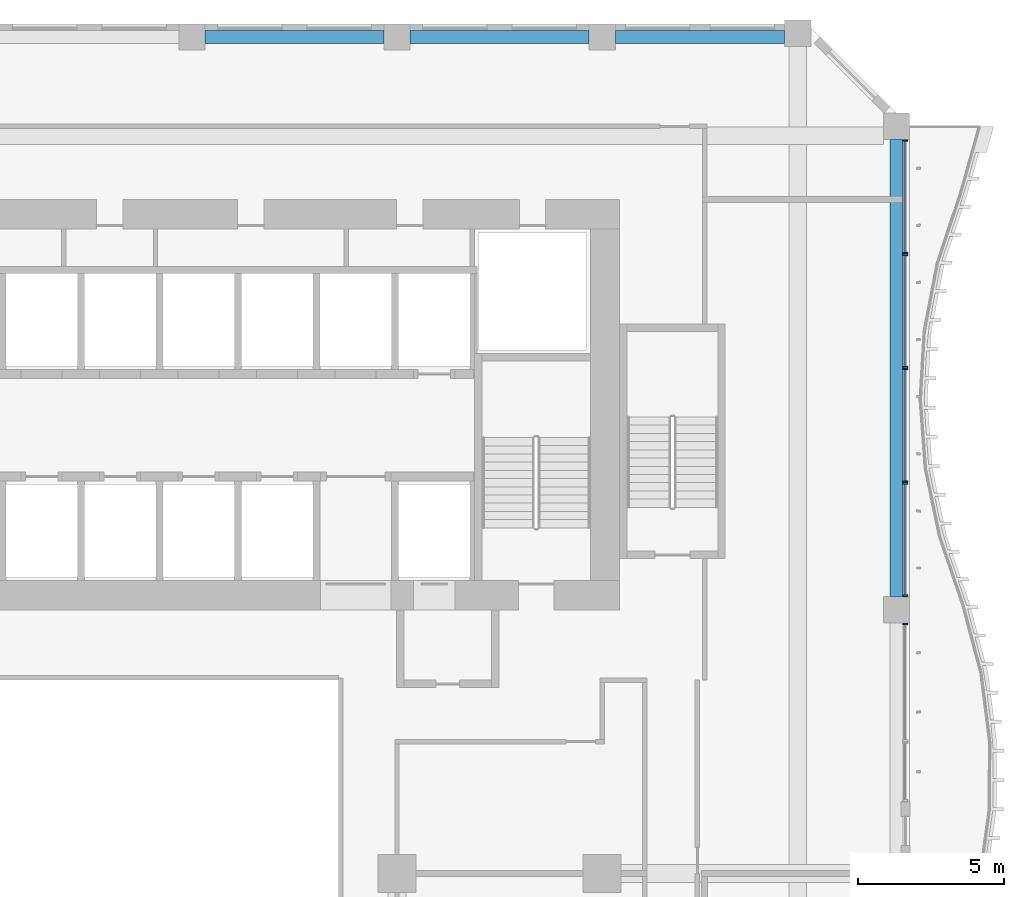
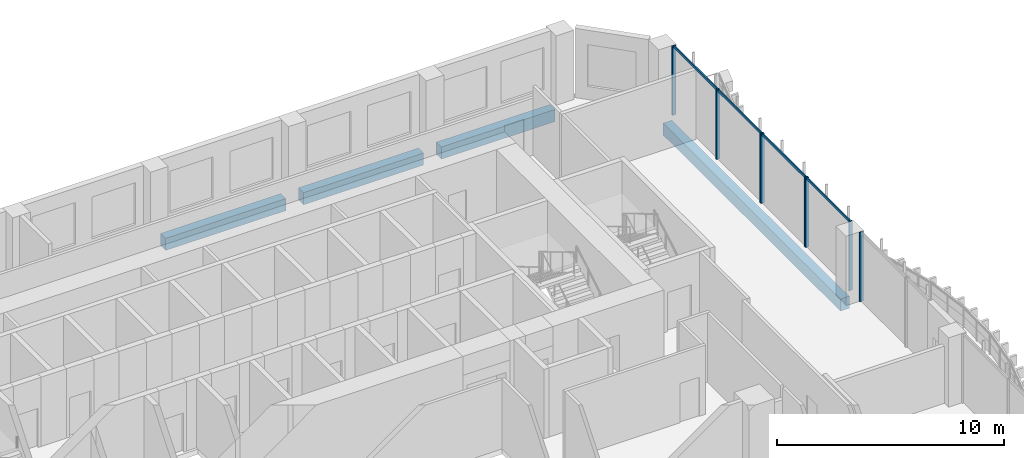
# One storey, part 10 of 27: 13 members, 4 beams, 5 elements without a shape of their own.
"""IFC4 building model written with IfcOpenShell, lengths in metres."""

from ifc_helpers import new_model, si_unit, direction, frame, origin, origin_2d, place, context, subcontext, project, spatial, rectangle, extrude, source, transform, mapped, material, material_profile, profile_set, type_object, element, aggregate, save


model = new_model("IFC4")

# Units and contexts
model_context = context("Model", 3, precision=1e-05, world=origin(), true_north=direction((0.0, 1.0)))
body_context = subcontext(model_context, "Body", "Model", "MODEL_VIEW")
ifc_project = project(units=[si_unit("LENGTHUNIT", "METRE"), si_unit("AREAUNIT", "SQUARE_METRE"), si_unit("VOLUMEUNIT", "CUBIC_METRE"), si_unit("PLANEANGLEUNIT", "RADIAN"), si_unit("MASSUNIT", "GRAM", prefix="KILO")], contexts=[model_context])

# Site, building, storey
site_placement = place(None, origin())
site = spatial("IfcSite", under=ifc_project, at=site_placement, CompositionType="ELEMENT")
building_placement = place(site_placement, origin())
building = spatial("IfcBuilding", under=site, at=building_placement, Name="Kilnfold Tower and Market Hall", CompositionType="ELEMENT")
storey_placement = place(building_placement, frame((0.0, 0.0, 51.0)))
storey = spatial("IfcBuildingStorey", under=building, at=storey_placement, Name="L11", CompositionType="ELEMENT", Elevation=51.0)

# Beams
ifc_material_1 = material(Name="Concrete C45", Category="concrete")
ifc_material_profile_1 = material_profile(ifc_material_1, rectangle(XDim=0.449951171875, YDim=0.64990234375, at=origin_2d()), Name="RC 450x650")
ifc_profile_set_1 = profile_set([ifc_material_profile_1], Name="Concrete C45")
beam_type = type_object("IfcBeamType", Name="EDGE BEAM 450X650 C45", PredefinedType="BEAM", material=ifc_profile_set_1)
shared_shape_1 = source(origin(), body_context, "Body", "SweptSolid", [
    extrude(rectangle(XDim=0.449951171875, YDim=0.64990234375, at=origin_2d()), origin(), (0.0, 0.0, 1.0), 6.10009765625),
])
for number, where, z_axis, x_axis, name in (
    (1, (3.949951171875, 27.550048828125, -0.60498046875), (1.0, 0.0, 0.0), (0.0, 1.0, 0.0), "Beam EB650-B1.27"),
    (2, (10.949951171875, 27.550048828125, -0.60498046875), (1.0, 0.0, 0.0), (0.0, 1.0, 0.0), "Beam EB650-B1.28"),
):
    element("IfcBeam", number, at=place(storey_placement, frame(where, z_axis=z_axis, x_axis=x_axis)), inside=storey, type_object=beam_type, Name=name, PredefinedType="BEAM", context=body_context, shape_type="MappedRepresentation", body=[
        mapped(shared_shape_1, transform((0.0, 0.0, 0.0))),
    ])
shared_shape_2 = source(origin(), body_context, "Body", "SweptSolid", [
    extrude(rectangle(XDim=0.449951171875, YDim=0.64990234375, at=origin_2d()), origin(), (0.0, 0.0, 1.0), 5.78173828125),
])
beam_1_placement = place(storey_placement, frame((17.949951171875, 27.550048828125, -0.60498046875), z_axis=(1.0, 0.0, 0.0), x_axis=(0.0, 1.0, 0.0)))
element("IfcBeam", 3, at=beam_1_placement, inside=storey, type_object=beam_type, Name="Beam EB650-B1.29", PredefinedType="BEAM", context=body_context, shape_type="MappedRepresentation", body=[
    mapped(shared_shape_2, transform((0.0, 0.0, 0.0))),
])
shared_shape_3 = source(origin(), body_context, "Body", "SweptSolid", [
    extrude(rectangle(XDim=0.449951171875, YDim=0.64990234375, at=origin_2d()), origin(), (0.0, 0.0, 1.0), 15.60009765625),
])
beam_2_placement = place(storey_placement, frame((27.550048828125, 8.449951171875, -0.60498046875), z_axis=(0.0, 1.0, 0.0), x_axis=(-1.0, 0.0, 0.0)))
element("IfcBeam", 4, at=beam_2_placement, inside=storey, type_object=beam_type, Name="Beam EB650-B1.59", PredefinedType="BEAM", context=body_context, shape_type="MappedRepresentation", body=[
    mapped(shared_shape_3, transform((0.0, 0.0, 0.0))),
])

# Curtain wall, member
ifc_material_2 = material(Name="Aluminium and double glazing", Category="aluminium")
curtain_wall_type = type_object("IfcCurtainWallType", Name="CW OF1 VALLEY GLAZING", PredefinedType="NOTDEFINED", material=ifc_material_2)
curtain_wall_1_placement = place(storey_placement, origin())
curtain_wall_1 = element("IfcCurtainWall", 5, at=curtain_wall_1_placement, inside=storey, type_object=curtain_wall_type, Name="Curtain wall CW1 L11 E", PredefinedType="NOTDEFINED")
ifc_material_3 = material(Name="Aluminium", Category="aluminium")
ifc_material_profile_2 = material_profile(ifc_material_3, rectangle(XDim=0.06005859375, YDim=0.179931640625, at=origin_2d()), Name="MULLION 60x180")
ifc_profile_set_2 = profile_set([ifc_material_profile_2], Name="Aluminium")
member_type_1 = type_object("IfcMemberType", Name="MULLION 60X180", PredefinedType="MULLION", material=ifc_profile_set_2)
shared_shape_4 = source(origin(), body_context, "Body", "SweptSolid", [
    extrude(rectangle(XDim=0.06005859375, YDim=0.179931640625, at=origin_2d()), origin(), (0.0, 0.0, 1.0), 3.719970703125),
])
member_1_placement = place(storey_placement, frame((27.85009765625, 7.52001953125, 0.0), z_axis=(0.0, 0.0, 1.0), x_axis=(0.0, 1.0, 0.0)))
member_1 = element("IfcMember", 6, at=member_1_placement, type_object=member_type_1, Name="CW1 mullion 2", PredefinedType="MULLION", context=body_context, shape_type="MappedRepresentation", body=[
    mapped(shared_shape_4, transform((0.0, 0.0, 0.0))),
])
aggregate(curtain_wall_1, [member_1])

# Curtain wall, members
curtain_wall_2_placement = place(storey_placement, origin())
curtain_wall_2 = element("IfcCurtainWall", 7, at=curtain_wall_2_placement, inside=storey, type_object=curtain_wall_type, Name="Curtain wall CW1 L11 E", PredefinedType="NOTDEFINED")
member_2_placement = place(storey_placement, frame((27.85009765625, 8.47998046875, 0.0), z_axis=(0.0, 0.0, 1.0), x_axis=(0.0, 1.0, 0.0)))
member_2 = element("IfcMember", 8, at=member_2_placement, type_object=member_type_1, Name="CW1 mullion 1", PredefinedType="MULLION", context=body_context, shape_type="MappedRepresentation", body=[
    mapped(shared_shape_4, transform((0.0, 0.0, 0.0))),
])
member_3_placement = place(storey_placement, frame((27.85009765625, 12.320068359375, 0.0), z_axis=(0.0, 0.0, 1.0), x_axis=(0.0, 1.0, 0.0)))
member_3 = element("IfcMember", 9, at=member_3_placement, type_object=member_type_1, Name="CW1 mullion 2", PredefinedType="MULLION", context=body_context, shape_type="MappedRepresentation", body=[
    mapped(shared_shape_4, transform((0.0, 0.0, 0.0))),
])

curtain_wall_3_placement = place(storey_placement, origin())
curtain_wall_3 = element("IfcCurtainWall", 10, at=curtain_wall_3_placement, inside=storey, type_object=curtain_wall_type, Name="Curtain wall CW1 L11 E", PredefinedType="NOTDEFINED")
member_4_placement = place(storey_placement, frame((27.85009765625, 12.3798828125, 0.0), z_axis=(0.0, 0.0, 1.0), x_axis=(0.0, 1.0, 0.0)))
member_4 = element("IfcMember", 11, at=member_4_placement, type_object=member_type_1, Name="CW1 mullion 1", PredefinedType="MULLION", context=body_context, shape_type="MappedRepresentation", body=[
    mapped(shared_shape_4, transform((0.0, 0.0, 0.0))),
])
member_5_placement = place(storey_placement, frame((27.85009765625, 16.219970703125, 0.0), z_axis=(0.0, 0.0, 1.0), x_axis=(0.0, 1.0, 0.0)))
member_5 = element("IfcMember", 12, at=member_5_placement, type_object=member_type_1, Name="CW1 mullion 2", PredefinedType="MULLION", context=body_context, shape_type="MappedRepresentation", body=[
    mapped(shared_shape_4, transform((0.0, 0.0, 0.0))),
])

curtain_wall_4_placement = place(storey_placement, origin())
curtain_wall_4 = element("IfcCurtainWall", 13, at=curtain_wall_4_placement, inside=storey, type_object=curtain_wall_type, Name="Curtain wall CW1 L11 E", PredefinedType="NOTDEFINED")
member_6_placement = place(storey_placement, frame((27.85009765625, 16.280029296875, 0.0), z_axis=(0.0, 0.0, 1.0), x_axis=(0.0, 1.0, 0.0)))
member_6 = element("IfcMember", 14, at=member_6_placement, type_object=member_type_1, Name="CW1 mullion 1", PredefinedType="MULLION", context=body_context, shape_type="MappedRepresentation", body=[
    mapped(shared_shape_4, transform((0.0, 0.0, 0.0))),
])
member_7_placement = place(storey_placement, frame((27.85009765625, 20.1201171875, 0.0), z_axis=(0.0, 0.0, 1.0), x_axis=(0.0, 1.0, 0.0)))
member_7 = element("IfcMember", 15, at=member_7_placement, type_object=member_type_1, Name="CW1 mullion 2", PredefinedType="MULLION", context=body_context, shape_type="MappedRepresentation", body=[
    mapped(shared_shape_4, transform((0.0, 0.0, 0.0))),
])

curtain_wall_5_placement = place(storey_placement, origin())
curtain_wall_5 = element("IfcCurtainWall", 16, at=curtain_wall_5_placement, inside=storey, type_object=curtain_wall_type, Name="Curtain wall CW1 L11 E", PredefinedType="NOTDEFINED")
member_8_placement = place(storey_placement, frame((27.85009765625, 20.179931640625, 0.0), z_axis=(0.0, 0.0, 1.0), x_axis=(0.0, 1.0, 0.0)))
member_8 = element("IfcMember", 17, at=member_8_placement, type_object=member_type_1, Name="CW1 mullion 1", PredefinedType="MULLION", context=body_context, shape_type="MappedRepresentation", body=[
    mapped(shared_shape_4, transform((0.0, 0.0, 0.0))),
])
member_9_placement = place(storey_placement, frame((27.85009765625, 24.02001953125, 0.0), z_axis=(0.0, 0.0, 1.0), x_axis=(0.0, 1.0, 0.0)))
member_9 = element("IfcMember", 18, at=member_9_placement, type_object=member_type_1, Name="CW1 mullion 2", PredefinedType="MULLION", context=body_context, shape_type="MappedRepresentation", body=[
    mapped(shared_shape_4, transform((0.0, 0.0, 0.0))),
])

# Member
ifc_material_4 = material(Name="Aluminium", Category="aluminium")
ifc_material_profile_3 = material_profile(ifc_material_4, rectangle(XDim=0.06005859375, YDim=0.139892578125, at=origin_2d()), Name="TRANSOM 60x140")
ifc_profile_set_3 = profile_set([ifc_material_profile_3], Name="Aluminium")
member_type_2 = type_object("IfcMemberType", Name="TRANSOM 60X140", PredefinedType="USERDEFINED", material=ifc_profile_set_3)
shared_shape_5 = source(origin(), body_context, "Body", "SweptSolid", [
    extrude(rectangle(XDim=0.06005859375, YDim=0.139892578125, at=origin_2d()), origin(), (0.0, 0.0, 1.0), 3.780029296875),
])
member_10_placement = place(storey_placement, frame((27.85009765625, 8.510009765625, 3.68994140625), z_axis=(0.0, 1.0, 0.0), x_axis=(-1.0, 0.0, 0.0)))
member_10 = element("IfcMember", 19, at=member_10_placement, type_object=member_type_2, Name="CW1 transom 1.2", ObjectType="TRANSOM", PredefinedType="USERDEFINED", context=body_context, shape_type="MappedRepresentation", body=[
    mapped(shared_shape_5, transform((0.0, 0.0, 0.0))),
])

aggregate(curtain_wall_2, [member_2, member_3, member_10])

member_11_placement = place(storey_placement, frame((27.85009765625, 12.409912109375, 3.68994140625), z_axis=(0.0, 1.0, 0.0), x_axis=(-1.0, 0.0, 0.0)))
member_11 = element("IfcMember", 20, at=member_11_placement, type_object=member_type_2, Name="CW1 transom 1.2", ObjectType="TRANSOM", PredefinedType="USERDEFINED", context=body_context, shape_type="MappedRepresentation", body=[
    mapped(shared_shape_5, transform((0.0, 0.0, 0.0))),
])

aggregate(curtain_wall_3, [member_4, member_5, member_11])

member_12_placement = place(storey_placement, frame((27.85009765625, 16.31005859375, 3.68994140625), z_axis=(0.0, 1.0, 0.0), x_axis=(-1.0, 0.0, 0.0)))
member_12 = element("IfcMember", 21, at=member_12_placement, type_object=member_type_2, Name="CW1 transom 1.2", ObjectType="TRANSOM", PredefinedType="USERDEFINED", context=body_context, shape_type="MappedRepresentation", body=[
    mapped(shared_shape_5, transform((0.0, 0.0, 0.0))),
])

aggregate(curtain_wall_4, [member_6, member_7, member_12])

member_13_placement = place(storey_placement, frame((27.85009765625, 20.2099609375, 3.68994140625), z_axis=(0.0, 1.0, 0.0), x_axis=(-1.0, 0.0, 0.0)))
member_13 = element("IfcMember", 22, at=member_13_placement, type_object=member_type_2, Name="CW1 transom 1.2", ObjectType="TRANSOM", PredefinedType="USERDEFINED", context=body_context, shape_type="MappedRepresentation", body=[
    mapped(shared_shape_5, transform((0.0, 0.0, 0.0))),
])

aggregate(curtain_wall_5, [member_8, member_9, member_13])

save(model, "model.ifc")
